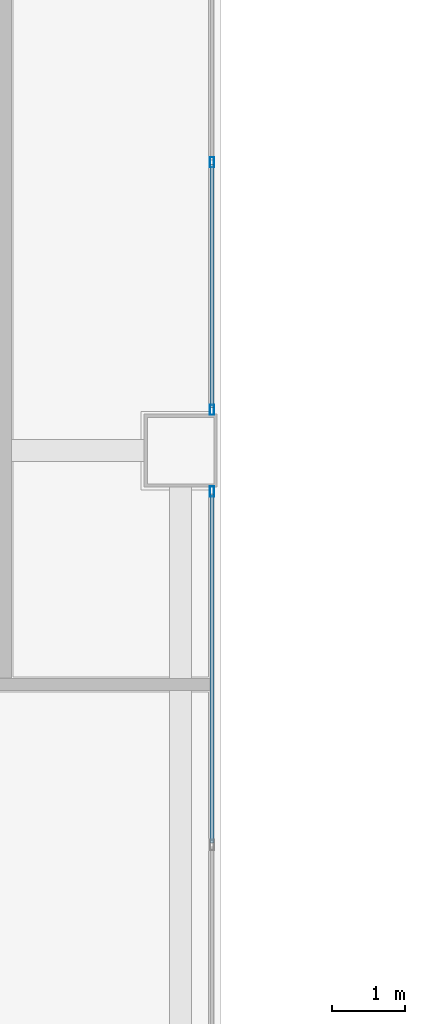
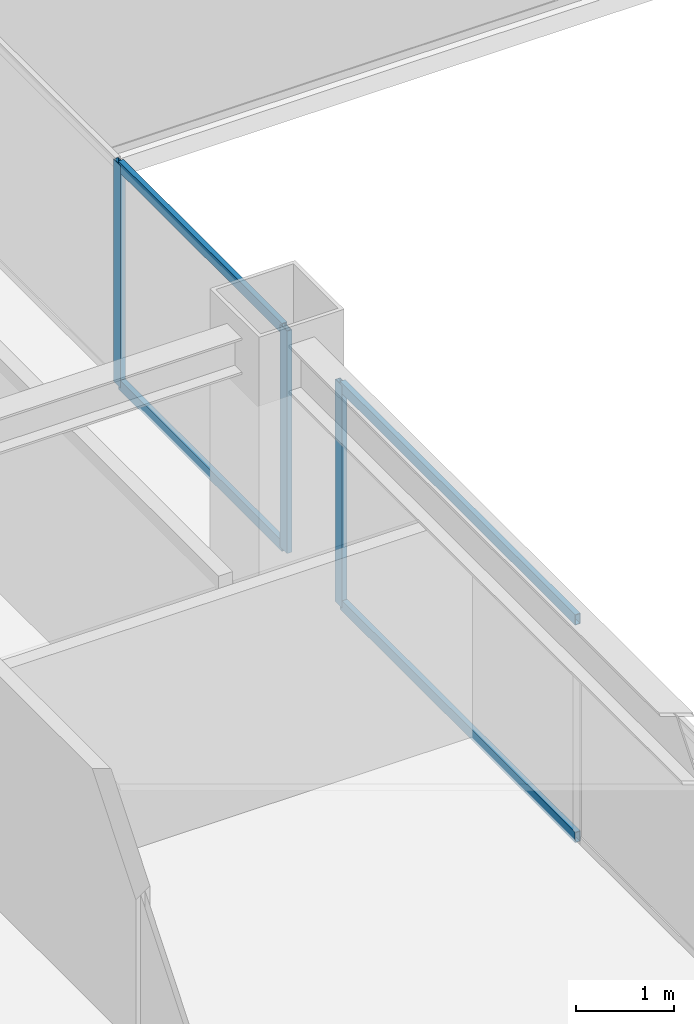
# One storey, part 7 of 31: 7 members, 2 elements without a shape of their own.
"""IFC4 building model written with IfcOpenShell, lengths in metres."""

import ifcopenshell
import ifcopenshell.guid

model = None  # the IFC model being written
_history = None  # IfcOwnerHistory: only IFC2X3 demands one
_inside = {}  # id of a spatial element -> (the spatial element, [elements in it])
_under = {}  # id of a project, library or spatial element -> (it, [spatial elements below it])
_declared = {}  # id of a project -> (the project, [libraries it declares])
_typed = {}  # id of a type object -> (the type object, [elements of that type])
_made_of = {}  # id of a material, layer set ... -> (it, [elements and type objects made of it])


def new_model(schema):
    """Start an empty IFC model of exactly this schema.

    Asked for "IFC4X3", IfcOpenShell would pick the latest addendum, in which some entities
    have other attributes; the version numbers below select the first issue.
    IFC2X3 requires an IfcOwnerHistory on every rooted entity: one is made here for all.
    """
    global model, _history
    if schema == "IFC4X3":
        model = ifcopenshell.file(schema_version=(4, 3, 0, 0))
    else:
        model = ifcopenshell.file(schema=schema)
    _inside.clear()
    _under.clear()
    _declared.clear()
    _typed.clear()
    _made_of.clear()
    _history = None
    if model.schema == "IFC2X3":
        org = make("IfcOrganization", Name="unknown")
        user = make(
            "IfcPersonAndOrganization",
            ThePerson=make("IfcPerson", FamilyName="unknown"),
            TheOrganization=org,
        )
        app = make(
            "IfcApplication",
            ApplicationDeveloper=org,
            Version="unknown",
            ApplicationFullName="unknown",
            ApplicationIdentifier="unknown",
        )
        _history = make(
            "IfcOwnerHistory",
            OwningUser=user,
            OwningApplication=app,
            ChangeAction="ADDED",
            CreationDate=0,
        )
    return model


def make(cls, **values):
    """One entity of the class cls with the attributes given. An attribute that is None is left unset."""
    return model.create_entity(
        cls, **{name: value for name, value in values.items() if value is not None}
    )


def rooted(cls, **values):
    """An entity with a GlobalId (a new one), such as an element, a storey or a relation."""
    return make(cls, GlobalId=ifcopenshell.guid.new(), OwnerHistory=_history, **values)


def si_unit(unit_type, name, prefix=None):
    """IfcSIUnit, for example si_unit("LENGTHUNIT", "METRE", prefix="MILLI")."""
    return make("IfcSIUnit", UnitType=unit_type, Prefix=prefix, Name=name)


def assignment(units):
    """IfcUnitAssignment: the units of a project."""
    return None if units is None else make("IfcUnitAssignment", Units=units)


def point(xyz):
    """IfcCartesianPoint."""
    return None if xyz is None else make("IfcCartesianPoint", Coordinates=xyz)


def direction(xyz):
    """IfcDirection."""
    return None if xyz is None else make("IfcDirection", DirectionRatios=xyz)


def frame(location, z_axis=None, x_axis=None):
    """IfcAxis2Placement3D, a coordinate frame: its origin and axes. An axis left out is left unset."""
    return make(
        "IfcAxis2Placement3D",
        Location=point(location),
        Axis=direction(z_axis),
        RefDirection=direction(x_axis),
    )


def frame_2d(location, x_axis=None):
    """IfcAxis2Placement2D, a coordinate frame in the plane: its origin and x axis."""
    return make(
        "IfcAxis2Placement2D", Location=point(location), RefDirection=direction(x_axis)
    )


def origin():
    """The frame at (0, 0, 0) with its axes left unset."""
    return frame((0.0, 0.0, 0.0))


def origin_2d():
    """The frame at (0, 0) in the plane with its x axis left unset."""
    return frame_2d((0.0, 0.0))


def place(relative_to, where):
    """IfcLocalPlacement: puts the frame where relative to a parent placement (None: the world)."""
    return make(
        "IfcLocalPlacement", PlacementRelTo=relative_to, RelativePlacement=where
    )


def context(
    kind, dimensions, precision=None, world=None, true_north=None, identifier=None
):
    """IfcGeometricRepresentationContext, for example the 3D "Model" context."""
    return make(
        "IfcGeometricRepresentationContext",
        ContextIdentifier=identifier,
        ContextType=kind,
        CoordinateSpaceDimension=dimensions,
        Precision=precision,
        WorldCoordinateSystem=world,
        TrueNorth=true_north,
    )


def subcontext(parent, identifier, kind, view, scale=None):
    """IfcGeometricRepresentationSubContext, for example "Body" below "Model"."""
    return make(
        "IfcGeometricRepresentationSubContext",
        ContextIdentifier=identifier,
        ContextType=kind,
        ParentContext=parent,
        TargetScale=scale,
        TargetView=view,
    )


def project(units=None, contexts=None):
    """IfcProject with its units and contexts."""
    return rooted(
        "IfcProject",
        Name="project",
        RepresentationContexts=contexts,
        UnitsInContext=assignment(units),
    )


def spatial(cls, under=None, at=None, **own):
    """A site, building, storey or space (cls), placed at a placement, below another one or the project."""
    s = rooted(cls, ObjectPlacement=at, **own)
    if under is not None:
        _under.setdefault(under.id(), (under, []))[1].append(s)
    return s


def profile(cls, at=None, kind="AREA", **sizes):
    """A parametric profile (cls). Its sizes go by their IFC names, for example OverallWidth=200.0."""
    return make(cls, ProfileType=kind, Position=at, **sizes)


def hollow_rectangle(**sizes):
    """IfcRectangleHollowProfileDef."""
    return profile("IfcRectangleHollowProfileDef", **sizes)


def extrude(swept, where, along, depth):
    """IfcExtrudedAreaSolid: the profile swept, set in the frame where, extruded along a direction by depth."""
    return make(
        "IfcExtrudedAreaSolid",
        SweptArea=swept,
        Position=where,
        ExtrudedDirection=direction(along),
        Depth=depth,
    )


def shape(context_of_items, identifier, shape_type, items):
    """IfcShapeRepresentation: the items that make up one representation, for example the "Body"."""
    return make(
        "IfcShapeRepresentation",
        ContextOfItems=context_of_items,
        RepresentationIdentifier=identifier,
        RepresentationType=shape_type,
        Items=items,
    )


def source(mapping_origin, context_of_items, identifier, shape_type, items):
    """IfcRepresentationMap: a shape defined once, which mapped items show again and again."""
    return make(
        "IfcRepresentationMap",
        MappingOrigin=mapping_origin,
        MappedRepresentation=shape(context_of_items, identifier, shape_type, items),
    )


def transform(
    local_origin,
    x_axis=None,
    y_axis=None,
    z_axis=None,
    scale=None,
    scale2=None,
    scale3=None,
    uniform=True,
):
    """IfcCartesianTransformationOperator3D, or its non-uniform kind. x_axis, y_axis, z_axis: its Axis1, 2, 3."""
    if uniform:
        return make(
            "IfcCartesianTransformationOperator3D",
            Axis1=direction(x_axis),
            Axis2=direction(y_axis),
            LocalOrigin=point(local_origin),
            Scale=scale,
            Axis3=direction(z_axis),
        )
    return make(
        "IfcCartesianTransformationOperator3DnonUniform",
        Axis1=direction(x_axis),
        Axis2=direction(y_axis),
        LocalOrigin=point(local_origin),
        Scale=scale,
        Axis3=direction(z_axis),
        Scale2=scale2,
        Scale3=scale3,
    )


def mapped(mapping_source, mapping_target):
    """IfcMappedItem: shows the shape of a source again, moved by a transform."""
    return make(
        "IfcMappedItem", MappingSource=mapping_source, MappingTarget=mapping_target
    )


def material(Name=None, Category=None):
    """IfcMaterial."""
    return make("IfcMaterial", Name=Name, Category=Category)


def layer(
    of_material, thickness, ventilated=None, Name=None, Category=None, Priority=None
):
    """IfcMaterialLayer: one layer of a wall or slab, of a material (None: an air gap)."""
    return make(
        "IfcMaterialLayer",
        Material=of_material,
        LayerThickness=thickness,
        IsVentilated=ventilated,
        Name=Name,
        Category=Category,
        Priority=Priority,
    )


def layer_set(layers, Name=None):
    """IfcMaterialLayerSet."""
    return make("IfcMaterialLayerSet", MaterialLayers=layers, LayerSetName=Name)


def material_profile(
    of_material, cross_section, Name=None, Category=None, Priority=None
):
    """IfcMaterialProfile: a cross section and its material."""
    return make(
        "IfcMaterialProfile",
        Name=Name,
        Material=of_material,
        Profile=cross_section,
        Priority=Priority,
        Category=Category,
    )


def profile_set(profiles, Name=None, composite=None):
    """IfcMaterialProfileSet."""
    return make(
        "IfcMaterialProfileSet",
        Name=Name,
        MaterialProfiles=profiles,
        CompositeProfile=composite,
    )


def made_of(thing, what):
    """Note that an element or type object is made of a material, layer set ...; save() writes the relation."""
    if what is not None:
        _made_of.setdefault(what.id(), (what, []))[1].append(thing)
    return thing


def type_object(cls, material=None, **own):
    """A type object (cls), such as IfcWallType, which elements share."""
    return made_of(rooted(cls, **own), material)


def element(
    cls,
    number,
    at=None,
    inside=None,
    cuts=None,
    type_object=None,
    material=None,
    context=None,
    identifier="Body",
    shape_type=None,
    held_by="IfcProductDefinitionShape",
    body=None,
    shapes=None,
    **own,
):
    """One element of the class cls, such as IfcWall. Its Tag is "e" and its number.

    at: its placement. inside: the storey or other place that contains it. cuts: it is an
    opening in that element (IfcRelVoidsElement). A single representation is given by context,
    identifier, shape_type and body (its items); several are given by shapes. held_by: the class
    of the entity that holds the representations. save() writes the other relations.
    """
    e = rooted(cls, Tag="e%d" % number, ObjectPlacement=at, **own)
    if body is not None:
        shapes = [shape(context, identifier, shape_type, body)]
    if shapes is not None:
        e.Representation = make(held_by, Representations=shapes)
    if inside is not None:
        _inside.setdefault(inside.id(), (inside, []))[1].append(e)
    if cuts is not None:
        rooted(
            "IfcRelVoidsElement", RelatingBuildingElement=cuts, RelatedOpeningElement=e
        )
    if type_object is not None:
        _typed.setdefault(type_object.id(), (type_object, []))[1].append(e)
    return made_of(e, material)


def aggregate(whole, parts):
    """IfcRelAggregates: a whole, such as a stair, and the parts it consists of."""
    return rooted("IfcRelAggregates", RelatingObject=whole, RelatedObjects=parts)


def save(model, path):
    """Write the relations noted so far, then the file.

    IfcRelAggregates (storeys below a building ...), IfcRelContainedInSpatialStructure (elements
    in a storey), IfcRelDefinesByType, IfcRelAssociatesMaterial and IfcRelDeclares: one each for
    every whole, place, type object, material and project.
    """
    for whole, parts in _under.values():
        aggregate(whole, parts)
    for where, things in _inside.values():
        rooted(
            "IfcRelContainedInSpatialStructure",
            RelatedElements=things,
            RelatingStructure=where,
        )
    for kind, things in _typed.values():
        rooted("IfcRelDefinesByType", RelatedObjects=things, RelatingType=kind)
    for what, things in _made_of.values():
        rooted("IfcRelAssociatesMaterial", RelatedObjects=things, RelatingMaterial=what)
    for by, libraries in _declared.values():
        rooted("IfcRelDeclares", RelatingContext=by, RelatedDefinitions=libraries)
    model.write(path)


model = new_model("IFC4")

# Units and contexts
model_context = context("Model", 3, precision=1e-05, world=origin(), true_north=direction((0.0, 1.0)))
body_context = subcontext(model_context, "Body", "Model", "MODEL_VIEW")
ifc_project = project(units=[si_unit("LENGTHUNIT", "METRE"), si_unit("AREAUNIT", "SQUARE_METRE"), si_unit("VOLUMEUNIT", "CUBIC_METRE"), si_unit("PLANEANGLEUNIT", "RADIAN"), si_unit("MASSUNIT", "GRAM", prefix="KILO")], contexts=[model_context])

# Site, building, storey
site_placement = place(None, origin())
site = spatial("IfcSite", under=ifc_project, at=site_placement, CompositionType="ELEMENT")
building_placement = place(site_placement, origin())
building = spatial("IfcBuilding", under=site, at=building_placement, Name="Sumidabori Civic Tower", CompositionType="ELEMENT")
storey_placement = place(building_placement, frame((0.0, 0.0, 221.60009765625)))
storey = spatial("IfcBuildingStorey", under=building, at=storey_placement, Name="L57", CompositionType="ELEMENT", Elevation=221.60009765625)

# Curtain wall, member
ifc_material = material(Name="Anodised Bronze Aluminium AW-6063-T6", Category="aluminium")
ifc_layer = layer(ifc_material, 0.179931640625, Name="Anodised Bronze Aluminium AW-6063-T6")
ifc_layer_set = layer_set([ifc_layer], Name="Anodised Bronze Aluminium AW-6063-T6")
curtain_wall_type = type_object("IfcCurtainWallType", Name="CW-SYS-4", PredefinedType="NOTDEFINED", material=ifc_layer_set)
curtain_wall_1_placement = place(storey_placement, origin())
curtain_wall_1 = element("IfcCurtainWall", 1, at=curtain_wall_1_placement, inside=storey, type_object=curtain_wall_type, Name="Curtain Wall CW:L57:R03", PredefinedType="NOTDEFINED")
ifc_material_profile_1 = material_profile(ifc_material, hollow_rectangle(XDim=0.06005859375, YDim=0.139892578125, WallThickness=0.0048828125, at=origin_2d()), Name="ALU MULLION 140x60")
ifc_profile_set_1 = profile_set([ifc_material_profile_1], Name="Anodised Bronze Aluminium AW-6063-T6")
member_type_1 = type_object("IfcMemberType", Name="CW-MUL-140", PredefinedType="MULLION", material=ifc_profile_set_1)
shared_shape_1 = source(origin(), body_context, "Body", "SweptSolid", [
    extrude(hollow_rectangle(XDim=0.06005859375, YDim=0.139892578125, WallThickness=0.0048828125, at=origin_2d()), origin(), (0.0, 0.0, 1.0), 2.760009765625),
])
member_1_placement = place(storey_placement, frame((-7.969970703125, -0.56005859375, 0.0), z_axis=(0.0, 0.0, 1.0), x_axis=(-1.0, 0.0, 0.0)))
member_1 = element("IfcMember", 2, at=member_1_placement, type_object=member_type_1, Name="CW-4 mullion 3", PredefinedType="MULLION", context=body_context, shape_type="MappedRepresentation", body=[
    mapped(shared_shape_1, transform((0.0, 0.0, 0.0), x_axis=(1.0, 0.0, 0.0), y_axis=(0.0, 1.0, 0.0), z_axis=(0.0, 0.0, 1.0), scale=1.0)),
])

# Curtain wall, members
curtain_wall_2_placement = place(storey_placement, origin())
curtain_wall_2 = element("IfcCurtainWall", 3, at=curtain_wall_2_placement, inside=storey, type_object=curtain_wall_type, Name="Curtain Wall CW:L57:R04", PredefinedType="NOTDEFINED")
member_2_placement = place(storey_placement, frame((-7.969970703125, 0.56005859375, 0.0), z_axis=(0.0, 0.0, 1.0), x_axis=(-1.0, 0.0, 0.0)))
member_2 = element("IfcMember", 4, at=member_2_placement, type_object=member_type_1, Name="CW-4 mullion 1", PredefinedType="MULLION", context=body_context, shape_type="MappedRepresentation", body=[
    mapped(shared_shape_1, transform((0.0, 0.0, 0.0), x_axis=(1.0, 0.0, 0.0), y_axis=(0.0, 1.0, 0.0), z_axis=(0.0, 0.0, 1.0), scale=1.0)),
])
member_3_placement = place(storey_placement, frame((-7.969970703125, 3.949951171875, 0.0), z_axis=(0.0, 0.0, 1.0), x_axis=(-1.0, 0.0, 0.0)))
member_3 = element("IfcMember", 5, at=member_3_placement, type_object=member_type_1, Name="CW-4 mullion 2", PredefinedType="MULLION", context=body_context, shape_type="MappedRepresentation", body=[
    mapped(shared_shape_1, transform((0.0, 0.0, 0.0), x_axis=(1.0, 0.0, 0.0), y_axis=(0.0, 1.0, 0.0), z_axis=(0.0, 0.0, 1.0), scale=1.0)),
])

# Member
ifc_material_profile_2 = material_profile(ifc_material, hollow_rectangle(XDim=0.06005859375, YDim=0.1298828125, WallThickness=0.0048828125, at=origin_2d()), Name="ALU TRANSOM 130x60")
ifc_profile_set_2 = profile_set([ifc_material_profile_2], Name="Anodised Bronze Aluminium AW-6063-T6")
member_type_2 = type_object("IfcMemberType", Name="CW-TRN-130", PredefinedType="USERDEFINED", material=ifc_profile_set_2)
shared_shape_2 = source(origin(), body_context, "Body", "SweptSolid", [
    extrude(hollow_rectangle(XDim=0.06005859375, YDim=0.1298828125, WallThickness=0.0048828125, at=origin_2d()), origin(), (0.0, 0.0, 1.0), 4.780029296875),
])
member_4_placement = place(storey_placement, frame((-7.969970703125, -5.3701171875, 0.02978515625), z_axis=(0.0, 1.0, 0.0), x_axis=(-1.0, 0.0, 0.0)))
member_4 = element("IfcMember", 6, at=member_4_placement, type_object=member_type_2, Name="CW-4 transom 2.1", ObjectType="TRANSOM", PredefinedType="USERDEFINED", context=body_context, shape_type="MappedRepresentation", body=[
    mapped(shared_shape_2, transform((0.0, 0.0, 0.0), x_axis=(1.0, 0.0, 0.0), y_axis=(0.0, 1.0, 0.0), z_axis=(0.0, 0.0, 1.0), scale=1.0)),
])

member_5_placement = place(storey_placement, frame((-7.969970703125, -5.3701171875, 2.72998046875), z_axis=(0.0, 1.0, 0.0), x_axis=(-1.0, 0.0, 0.0)))
member_5 = element("IfcMember", 7, at=member_5_placement, type_object=member_type_2, Name="CW-4 transom 2.2", ObjectType="TRANSOM", PredefinedType="USERDEFINED", context=body_context, shape_type="MappedRepresentation", body=[
    mapped(shared_shape_2, transform((0.0, 0.0, 0.0), x_axis=(1.0, 0.0, 0.0), y_axis=(0.0, 1.0, 0.0), z_axis=(0.0, 0.0, 1.0), scale=1.0)),
])

aggregate(curtain_wall_1, [member_1, member_4, member_5])

shared_shape_3 = source(origin(), body_context, "Body", "SweptSolid", [
    extrude(hollow_rectangle(XDim=0.06005859375, YDim=0.1298828125, WallThickness=0.0048828125, at=origin_2d()), origin(), (0.0, 0.0, 1.0), 3.329833984375),
])
member_6_placement = place(storey_placement, frame((-7.969970703125, 0.590087890625, 0.02978515625), z_axis=(0.0, 1.0, 0.0), x_axis=(-1.0, 0.0, 0.0)))
member_6 = element("IfcMember", 8, at=member_6_placement, type_object=member_type_2, Name="CW-4 transom 1.1", ObjectType="TRANSOM", PredefinedType="USERDEFINED", context=body_context, shape_type="MappedRepresentation", body=[
    mapped(shared_shape_3, transform((0.0, 0.0, 0.0), x_axis=(1.0, 0.0, 0.0), y_axis=(0.0, 1.0, 0.0), z_axis=(0.0, 0.0, 1.0), scale=1.0)),
])

member_7_placement = place(storey_placement, frame((-7.969970703125, 0.590087890625, 2.72998046875), z_axis=(0.0, 1.0, 0.0), x_axis=(-1.0, 0.0, 0.0)))
member_7 = element("IfcMember", 9, at=member_7_placement, type_object=member_type_2, Name="CW-4 transom 1.2", ObjectType="TRANSOM", PredefinedType="USERDEFINED", context=body_context, shape_type="MappedRepresentation", body=[
    mapped(shared_shape_3, transform((0.0, 0.0, 0.0), x_axis=(1.0, 0.0, 0.0), y_axis=(0.0, 1.0, 0.0), z_axis=(0.0, 0.0, 1.0), scale=1.0)),
])

aggregate(curtain_wall_2, [member_2, member_3, member_6, member_7])

save(model, "model.ifc")
